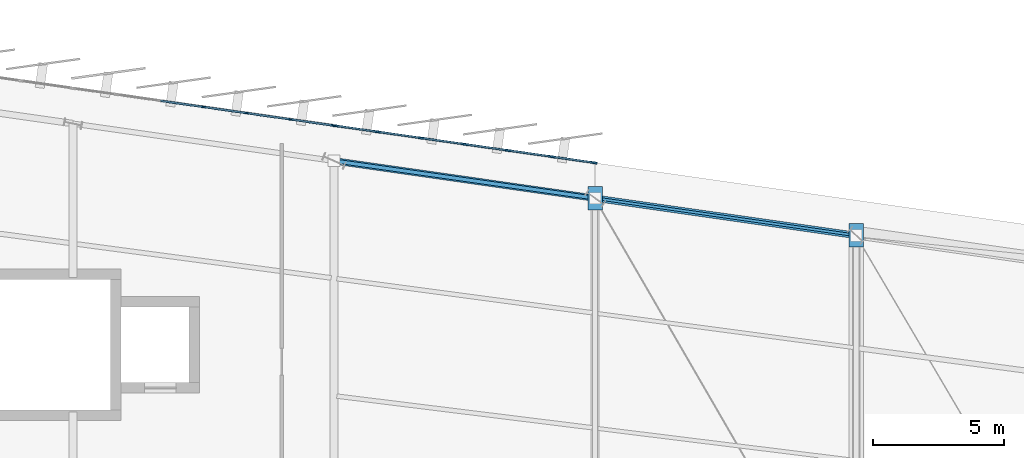
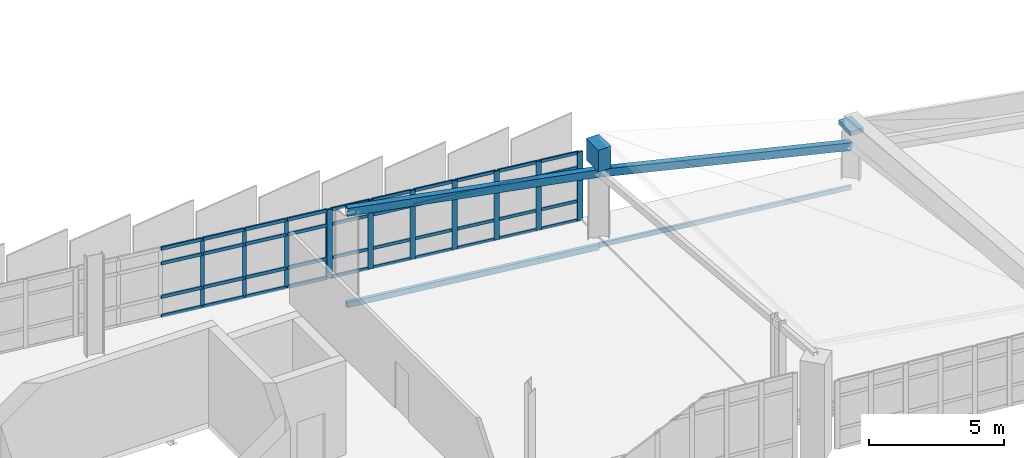
# One storey, part 42 of 67: 53 members, 4 beams, 2 elements without a shape of their own.
"""IFC4 building model written with IfcOpenShell, lengths in metres."""

import ifcopenshell
import ifcopenshell.guid

model = None  # the IFC model being written
_history = None  # IfcOwnerHistory: only IFC2X3 demands one
_inside = {}  # id of a spatial element -> (the spatial element, [elements in it])
_under = {}  # id of a project, library or spatial element -> (it, [spatial elements below it])
_declared = {}  # id of a project -> (the project, [libraries it declares])
_typed = {}  # id of a type object -> (the type object, [elements of that type])
_made_of = {}  # id of a material, layer set ... -> (it, [elements and type objects made of it])


def new_model(schema):
    """Start an empty IFC model of exactly this schema.

    Asked for "IFC4X3", IfcOpenShell would pick the latest addendum, in which some entities
    have other attributes; the version numbers below select the first issue.
    IFC2X3 requires an IfcOwnerHistory on every rooted entity: one is made here for all.
    """
    global model, _history
    if schema == "IFC4X3":
        model = ifcopenshell.file(schema_version=(4, 3, 0, 0))
    else:
        model = ifcopenshell.file(schema=schema)
    _inside.clear()
    _under.clear()
    _declared.clear()
    _typed.clear()
    _made_of.clear()
    _history = None
    if model.schema == "IFC2X3":
        org = make("IfcOrganization", Name="unknown")
        user = make(
            "IfcPersonAndOrganization",
            ThePerson=make("IfcPerson", FamilyName="unknown"),
            TheOrganization=org,
        )
        app = make(
            "IfcApplication",
            ApplicationDeveloper=org,
            Version="unknown",
            ApplicationFullName="unknown",
            ApplicationIdentifier="unknown",
        )
        _history = make(
            "IfcOwnerHistory",
            OwningUser=user,
            OwningApplication=app,
            ChangeAction="ADDED",
            CreationDate=0,
        )
    return model


def make(cls, **values):
    """One entity of the class cls with the attributes given. An attribute that is None is left unset."""
    return model.create_entity(
        cls, **{name: value for name, value in values.items() if value is not None}
    )


def rooted(cls, **values):
    """An entity with a GlobalId (a new one), such as an element, a storey or a relation."""
    return make(cls, GlobalId=ifcopenshell.guid.new(), OwnerHistory=_history, **values)


def si_unit(unit_type, name, prefix=None):
    """IfcSIUnit, for example si_unit("LENGTHUNIT", "METRE", prefix="MILLI")."""
    return make("IfcSIUnit", UnitType=unit_type, Prefix=prefix, Name=name)


def assignment(units):
    """IfcUnitAssignment: the units of a project."""
    return None if units is None else make("IfcUnitAssignment", Units=units)


def point(xyz):
    """IfcCartesianPoint."""
    return None if xyz is None else make("IfcCartesianPoint", Coordinates=xyz)


def direction(xyz):
    """IfcDirection."""
    return None if xyz is None else make("IfcDirection", DirectionRatios=xyz)


def frame(location, z_axis=None, x_axis=None):
    """IfcAxis2Placement3D, a coordinate frame: its origin and axes. An axis left out is left unset."""
    return make(
        "IfcAxis2Placement3D",
        Location=point(location),
        Axis=direction(z_axis),
        RefDirection=direction(x_axis),
    )


def frame_2d(location, x_axis=None):
    """IfcAxis2Placement2D, a coordinate frame in the plane: its origin and x axis."""
    return make(
        "IfcAxis2Placement2D", Location=point(location), RefDirection=direction(x_axis)
    )


def origin():
    """The frame at (0, 0, 0) with its axes left unset."""
    return frame((0.0, 0.0, 0.0))


def origin_2d():
    """The frame at (0, 0) in the plane with its x axis left unset."""
    return frame_2d((0.0, 0.0))


def place(relative_to, where):
    """IfcLocalPlacement: puts the frame where relative to a parent placement (None: the world)."""
    return make(
        "IfcLocalPlacement", PlacementRelTo=relative_to, RelativePlacement=where
    )


def context(
    kind, dimensions, precision=None, world=None, true_north=None, identifier=None
):
    """IfcGeometricRepresentationContext, for example the 3D "Model" context."""
    return make(
        "IfcGeometricRepresentationContext",
        ContextIdentifier=identifier,
        ContextType=kind,
        CoordinateSpaceDimension=dimensions,
        Precision=precision,
        WorldCoordinateSystem=world,
        TrueNorth=true_north,
    )


def subcontext(parent, identifier, kind, view, scale=None):
    """IfcGeometricRepresentationSubContext, for example "Body" below "Model"."""
    return make(
        "IfcGeometricRepresentationSubContext",
        ContextIdentifier=identifier,
        ContextType=kind,
        ParentContext=parent,
        TargetScale=scale,
        TargetView=view,
    )


def project(units=None, contexts=None):
    """IfcProject with its units and contexts."""
    return rooted(
        "IfcProject",
        Name="project",
        RepresentationContexts=contexts,
        UnitsInContext=assignment(units),
    )


def spatial(cls, under=None, at=None, **own):
    """A site, building, storey or space (cls), placed at a placement, below another one or the project."""
    s = rooted(cls, ObjectPlacement=at, **own)
    if under is not None:
        _under.setdefault(under.id(), (under, []))[1].append(s)
    return s


def profile(cls, at=None, kind="AREA", **sizes):
    """A parametric profile (cls). Its sizes go by their IFC names, for example OverallWidth=200.0."""
    return make(cls, ProfileType=kind, Position=at, **sizes)


def rectangle(**sizes):
    """IfcRectangleProfileDef."""
    return profile("IfcRectangleProfileDef", **sizes)


def hollow_rectangle(**sizes):
    """IfcRectangleHollowProfileDef."""
    return profile("IfcRectangleHollowProfileDef", **sizes)


def extrude(swept, where, along, depth):
    """IfcExtrudedAreaSolid: the profile swept, set in the frame where, extruded along a direction by depth."""
    return make(
        "IfcExtrudedAreaSolid",
        SweptArea=swept,
        Position=where,
        ExtrudedDirection=direction(along),
        Depth=depth,
    )


def shape(context_of_items, identifier, shape_type, items):
    """IfcShapeRepresentation: the items that make up one representation, for example the "Body"."""
    return make(
        "IfcShapeRepresentation",
        ContextOfItems=context_of_items,
        RepresentationIdentifier=identifier,
        RepresentationType=shape_type,
        Items=items,
    )


def material(Name=None, Category=None):
    """IfcMaterial."""
    return make("IfcMaterial", Name=Name, Category=Category)


def layer(
    of_material, thickness, ventilated=None, Name=None, Category=None, Priority=None
):
    """IfcMaterialLayer: one layer of a wall or slab, of a material (None: an air gap)."""
    return make(
        "IfcMaterialLayer",
        Material=of_material,
        LayerThickness=thickness,
        IsVentilated=ventilated,
        Name=Name,
        Category=Category,
        Priority=Priority,
    )


def layer_set(layers, Name=None):
    """IfcMaterialLayerSet."""
    return make("IfcMaterialLayerSet", MaterialLayers=layers, LayerSetName=Name)


def material_profile(
    of_material, cross_section, Name=None, Category=None, Priority=None
):
    """IfcMaterialProfile: a cross section and its material."""
    return make(
        "IfcMaterialProfile",
        Name=Name,
        Material=of_material,
        Profile=cross_section,
        Priority=Priority,
        Category=Category,
    )


def profile_set(profiles, Name=None, composite=None):
    """IfcMaterialProfileSet."""
    return make(
        "IfcMaterialProfileSet",
        Name=Name,
        MaterialProfiles=profiles,
        CompositeProfile=composite,
    )


def made_of(thing, what):
    """Note that an element or type object is made of a material, layer set ...; save() writes the relation."""
    if what is not None:
        _made_of.setdefault(what.id(), (what, []))[1].append(thing)
    return thing


def type_object(cls, material=None, **own):
    """A type object (cls), such as IfcWallType, which elements share."""
    return made_of(rooted(cls, **own), material)


def element(
    cls,
    number,
    at=None,
    inside=None,
    cuts=None,
    type_object=None,
    material=None,
    context=None,
    identifier="Body",
    shape_type=None,
    held_by="IfcProductDefinitionShape",
    body=None,
    shapes=None,
    **own,
):
    """One element of the class cls, such as IfcWall. Its Tag is "e" and its number.

    at: its placement. inside: the storey or other place that contains it. cuts: it is an
    opening in that element (IfcRelVoidsElement). A single representation is given by context,
    identifier, shape_type and body (its items); several are given by shapes. held_by: the class
    of the entity that holds the representations. save() writes the other relations.
    """
    e = rooted(cls, Tag="e%d" % number, ObjectPlacement=at, **own)
    if body is not None:
        shapes = [shape(context, identifier, shape_type, body)]
    if shapes is not None:
        e.Representation = make(held_by, Representations=shapes)
    if inside is not None:
        _inside.setdefault(inside.id(), (inside, []))[1].append(e)
    if cuts is not None:
        rooted(
            "IfcRelVoidsElement", RelatingBuildingElement=cuts, RelatedOpeningElement=e
        )
    if type_object is not None:
        _typed.setdefault(type_object.id(), (type_object, []))[1].append(e)
    return made_of(e, material)


def aggregate(whole, parts):
    """IfcRelAggregates: a whole, such as a stair, and the parts it consists of."""
    return rooted("IfcRelAggregates", RelatingObject=whole, RelatedObjects=parts)


def save(model, path):
    """Write the relations noted so far, then the file.

    IfcRelAggregates (storeys below a building ...), IfcRelContainedInSpatialStructure (elements
    in a storey), IfcRelDefinesByType, IfcRelAssociatesMaterial and IfcRelDeclares: one each for
    every whole, place, type object, material and project.
    """
    for whole, parts in _under.values():
        aggregate(whole, parts)
    for where, things in _inside.values():
        rooted(
            "IfcRelContainedInSpatialStructure",
            RelatedElements=things,
            RelatingStructure=where,
        )
    for kind, things in _typed.values():
        rooted("IfcRelDefinesByType", RelatedObjects=things, RelatingType=kind)
    for what, things in _made_of.values():
        rooted("IfcRelAssociatesMaterial", RelatedObjects=things, RelatingMaterial=what)
    for by, libraries in _declared.values():
        rooted("IfcRelDeclares", RelatingContext=by, RelatedDefinitions=libraries)
    model.write(path)


model = new_model("IFC4")

# Units and contexts
model_context = context("Model", 3, precision=1e-05, world=origin(), true_north=direction((0.0, 1.0)))
body_context = subcontext(model_context, "Body", "Model", "MODEL_VIEW")
ifc_project = project(units=[si_unit("LENGTHUNIT", "METRE"), si_unit("AREAUNIT", "SQUARE_METRE"), si_unit("VOLUMEUNIT", "CUBIC_METRE"), si_unit("PLANEANGLEUNIT", "RADIAN"), si_unit("MASSUNIT", "GRAM", prefix="KILO")], contexts=[model_context])

# Site, building, storey
site_placement = place(None, origin())
site = spatial("IfcSite", under=ifc_project, at=site_placement, CompositionType="ELEMENT")
building_placement = place(site_placement, origin())
building = spatial("IfcBuilding", under=site, at=building_placement, Name="Sohan Crest Arena", CompositionType="ELEMENT")
storey_placement = place(building_placement, frame((0.0, 0.0, 22.5)))
storey = spatial("IfcBuildingStorey", under=building, at=storey_placement, Name="L05", CompositionType="ELEMENT", Elevation=22.5)

# Curtain wall, members
ifc_material_1 = material(Name="Thermally broken anodised aluminium", Category="aluminium")
ifc_layer_1 = layer(ifc_material_1, 0.219970703125, Name="Thermally broken anodised aluminium")
ifc_layer_set_1 = layer_set([ifc_layer_1], Name="Thermally broken anodised aluminium")
curtain_wall_type_1 = type_object("IfcCurtainWallType", Name="ARC-CW03", PredefinedType="NOTDEFINED", material=ifc_layer_set_1)
curtain_wall_1_placement = place(storey_placement, origin())
curtain_wall_1 = element("IfcCurtainWall", 1, at=curtain_wall_1_placement, inside=storey, type_object=curtain_wall_type_1, Name="Unitised curtain wall CW-162", PredefinedType="NOTDEFINED")
ifc_material_profile_1 = material_profile(ifc_material_1, rectangle(XDim=0.06005859375, YDim=0.159912109375, at=origin_2d()), Name="ALU-MULL 60x160")
ifc_profile_set_1 = profile_set([ifc_material_profile_1], Name="Thermally broken anodised aluminium")
member_type_1 = type_object("IfcMemberType", Name="ARC-CW-ML01", PredefinedType="MULLION", material=ifc_profile_set_1)
member_1_placement = place(storey_placement, frame((117.97021484375, 124.497314453125, 0.0), z_axis=(0.0, 0.0, 1.0), x_axis=(-0.141365918403, -0.989957411768, 0.0)))
member_1 = element("IfcMember", 2, at=member_1_placement, type_object=member_type_1, Name="CW-162 mullion 1", PredefinedType="MULLION", context=body_context, shape_type="SweptSolid", body=[
    extrude(rectangle(XDim=0.06005859375, YDim=0.159912109375, at=origin_2d()), origin(), (0.0, 0.0, 1.0), 3.1201171875),
])
member_2_placement = place(storey_placement, frame((116.333251953125, 124.73095703125, 0.0), z_axis=(0.0, 0.0, 1.0), x_axis=(-0.141365918403, -0.989957411768, 0.0)))
member_2 = element("IfcMember", 3, at=member_2_placement, type_object=member_type_1, Name="CW-162 mullion 2", PredefinedType="MULLION", context=body_context, shape_type="SweptSolid", body=[
    extrude(rectangle(XDim=0.06005859375, YDim=0.159912109375, at=origin_2d()), origin(), (0.0, 0.0, 1.0), 3.1201171875),
])
member_3_placement = place(storey_placement, frame((114.666748046875, 124.968994140625, 0.0), z_axis=(0.0, 0.0, 1.0), x_axis=(-0.141365918403, -0.989957411768, 0.0)))
member_3 = element("IfcMember", 4, at=member_3_placement, type_object=member_type_1, Name="CW-162 mullion 3", PredefinedType="MULLION", context=body_context, shape_type="SweptSolid", body=[
    extrude(rectangle(XDim=0.06005859375, YDim=0.159912109375, at=origin_2d()), origin(), (0.0, 0.0, 1.0), 3.1201171875),
])
member_4_placement = place(storey_placement, frame((113.0, 125.20703125, 0.0), z_axis=(0.0, 0.0, 1.0), x_axis=(-0.141365918403, -0.989957411768, 0.0)))
member_4 = element("IfcMember", 5, at=member_4_placement, type_object=member_type_1, Name="CW-162 mullion 4", PredefinedType="MULLION", context=body_context, shape_type="SweptSolid", body=[
    extrude(rectangle(XDim=0.06005859375, YDim=0.159912109375, at=origin_2d()), origin(), (0.0, 0.0, 1.0), 3.1201171875),
])

ifc_layer_2 = layer(ifc_material_1, 0.199951171875, Name="Thermally broken anodised aluminium")
ifc_layer_set_2 = layer_set([ifc_layer_2], Name="Thermally broken anodised aluminium")
curtain_wall_type_2 = type_object("IfcCurtainWallType", Name="ARC-CW02", PredefinedType="NOTDEFINED", material=ifc_layer_set_2)
curtain_wall_2_placement = place(storey_placement, origin())
curtain_wall_2 = element("IfcCurtainWall", 6, at=curtain_wall_2_placement, inside=storey, type_object=curtain_wall_type_2, Name="Unitised curtain wall CW-161", PredefinedType="NOTDEFINED")
ifc_material_profile_2 = material_profile(ifc_material_1, rectangle(XDim=0.074951171875, YDim=0.219970703125, at=origin_2d()), Name="ALU-MULL 75x220")
ifc_profile_set_2 = profile_set([ifc_material_profile_2], Name="Thermally broken anodised aluminium")
member_type_2 = type_object("IfcMemberType", Name="ARC-CW-ML04", PredefinedType="MULLION", material=ifc_profile_set_2)
member_5_placement = place(storey_placement, frame((127.962890625, 123.0693359375, 0.0), z_axis=(0.0, 0.0, 1.0), x_axis=(-0.141462933734, -0.989943553128, 0.0)))
member_5 = element("IfcMember", 7, at=member_5_placement, type_object=member_type_2, Name="CW-161 mullion 1", PredefinedType="MULLION", context=body_context, shape_type="SweptSolid", body=[
    extrude(rectangle(XDim=0.074951171875, YDim=0.219970703125, at=origin_2d()), origin(), (0.0, 0.0, 1.0), 3.1201171875),
])
member_6_placement = place(storey_placement, frame((126.333251953125, 123.30224609375, 0.0), z_axis=(0.0, 0.0, 1.0), x_axis=(-0.141462933734, -0.989943553128, 0.0)))
member_6 = element("IfcMember", 8, at=member_6_placement, type_object=member_type_2, Name="CW-161 mullion 2", PredefinedType="MULLION", context=body_context, shape_type="SweptSolid", body=[
    extrude(rectangle(XDim=0.074951171875, YDim=0.219970703125, at=origin_2d()), origin(), (0.0, 0.0, 1.0), 3.1201171875),
])
member_7_placement = place(storey_placement, frame((124.666748046875, 123.540283203125, 0.0), z_axis=(0.0, 0.0, 1.0), x_axis=(-0.141462933734, -0.989943553128, 0.0)))
member_7 = element("IfcMember", 9, at=member_7_placement, type_object=member_type_2, Name="CW-161 mullion 3", PredefinedType="MULLION", context=body_context, shape_type="SweptSolid", body=[
    extrude(rectangle(XDim=0.074951171875, YDim=0.219970703125, at=origin_2d()), origin(), (0.0, 0.0, 1.0), 3.1201171875),
])
member_8_placement = place(storey_placement, frame((123.0, 123.778564453125, 0.0), z_axis=(0.0, 0.0, 1.0), x_axis=(-0.141462933734, -0.989943553128, 0.0)))
member_8 = element("IfcMember", 10, at=member_8_placement, type_object=member_type_2, Name="CW-161 mullion 4", PredefinedType="MULLION", context=body_context, shape_type="SweptSolid", body=[
    extrude(rectangle(XDim=0.074951171875, YDim=0.219970703125, at=origin_2d()), origin(), (0.0, 0.0, 1.0), 3.1201171875),
])
member_9_placement = place(storey_placement, frame((121.333251953125, 124.0166015625, 0.0), z_axis=(0.0, 0.0, 1.0), x_axis=(-0.141462933734, -0.989943553128, 0.0)))
member_9 = element("IfcMember", 11, at=member_9_placement, type_object=member_type_2, Name="CW-161 mullion 5", PredefinedType="MULLION", context=body_context, shape_type="SweptSolid", body=[
    extrude(rectangle(XDim=0.074951171875, YDim=0.219970703125, at=origin_2d()), origin(), (0.0, 0.0, 1.0), 3.1201171875),
])
member_10_placement = place(storey_placement, frame((119.666748046875, 124.2548828125, 0.0), z_axis=(0.0, 0.0, 1.0), x_axis=(-0.141462933734, -0.989943553128, 0.0)))
member_10 = element("IfcMember", 12, at=member_10_placement, type_object=member_type_2, Name="CW-161 mullion 6", PredefinedType="MULLION", context=body_context, shape_type="SweptSolid", body=[
    extrude(rectangle(XDim=0.074951171875, YDim=0.219970703125, at=origin_2d()), origin(), (0.0, 0.0, 1.0), 3.1201171875),
])
member_11_placement = place(storey_placement, frame((118.037109375, 124.48779296875, 0.0), z_axis=(0.0, 0.0, 1.0), x_axis=(-0.141462933734, -0.989943553128, 0.0)))
member_11 = element("IfcMember", 13, at=member_11_placement, type_object=member_type_2, Name="CW-161 mullion 7", PredefinedType="MULLION", context=body_context, shape_type="SweptSolid", body=[
    extrude(rectangle(XDim=0.074951171875, YDim=0.219970703125, at=origin_2d()), origin(), (0.0, 0.0, 1.0), 3.1201171875),
])
ifc_material_profile_3 = material_profile(ifc_material_1, rectangle(XDim=0.06494140625, YDim=0.139892578125, at=origin_2d()), Name="ALU-TRAN 65x140")
ifc_profile_set_3 = profile_set([ifc_material_profile_3], Name="Thermally broken anodised aluminium")
member_type_3 = type_object("IfcMemberType", Name="ARC-CW-TR02", PredefinedType="USERDEFINED", material=ifc_profile_set_3)
member_12_placement = place(storey_placement, frame((127.92578125, 123.07470703125, 0.032470703125), z_axis=(-0.989952601106, 0.141399602418, 0.0), x_axis=(-0.141399602418, -0.989952601106, 0.0)))
member_12 = element("IfcMember", 14, at=member_12_placement, type_object=member_type_3, Name="CW-161 transom 1.1", ObjectType="TRANSOM", PredefinedType="USERDEFINED", context=body_context, shape_type="SweptSolid", body=[
    extrude(rectangle(XDim=0.06494140625, YDim=0.139892578125, at=origin_2d()), origin(), (0.0, 0.0, 1.0), 1.5712890625),
])
member_13_placement = place(storey_placement, frame((127.92578125, 123.07470703125, 0.89990234375), z_axis=(-0.989952601106, 0.141399602418, 0.0), x_axis=(-0.141399602418, -0.989952601106, 0.0)))
member_13 = element("IfcMember", 15, at=member_13_placement, type_object=member_type_3, Name="CW-161 transom 1.2", ObjectType="TRANSOM", PredefinedType="USERDEFINED", context=body_context, shape_type="SweptSolid", body=[
    extrude(rectangle(XDim=0.06494140625, YDim=0.139892578125, at=origin_2d()), origin(), (0.0, 0.0, 1.0), 1.5712890625),
])
member_14_placement = place(storey_placement, frame((127.92578125, 123.07470703125, 2.419921875), z_axis=(-0.989952601106, 0.141399602418, 0.0), x_axis=(-0.141399602418, -0.989952601106, 0.0)))
member_14 = element("IfcMember", 16, at=member_14_placement, type_object=member_type_3, Name="CW-161 transom 1.3", ObjectType="TRANSOM", PredefinedType="USERDEFINED", context=body_context, shape_type="SweptSolid", body=[
    extrude(rectangle(XDim=0.06494140625, YDim=0.139892578125, at=origin_2d()), origin(), (0.0, 0.0, 1.0), 1.5712890625),
])
member_15_placement = place(storey_placement, frame((127.92578125, 123.07470703125, 3.08740234375), z_axis=(-0.989952601106, 0.141399602418, 0.0), x_axis=(-0.141399602418, -0.989952601106, 0.0)))
member_15 = element("IfcMember", 17, at=member_15_placement, type_object=member_type_3, Name="CW-161 transom 1.4", ObjectType="TRANSOM", PredefinedType="USERDEFINED", context=body_context, shape_type="SweptSolid", body=[
    extrude(rectangle(XDim=0.06494140625, YDim=0.139892578125, at=origin_2d()), origin(), (0.0, 0.0, 1.0), 1.5712890625),
])
member_16_placement = place(storey_placement, frame((126.296142578125, 123.307373046875, 0.032470703125), z_axis=(-0.989943421339, 0.141463855978, 0.0), x_axis=(-0.141463855978, -0.989943421339, 0.0)))
member_16 = element("IfcMember", 18, at=member_16_placement, type_object=member_type_3, Name="CW-161 transom 2.1", ObjectType="TRANSOM", PredefinedType="USERDEFINED", context=body_context, shape_type="SweptSolid", body=[
    extrude(rectangle(XDim=0.06494140625, YDim=0.139892578125, at=origin_2d()), origin(), (0.0, 0.0, 1.0), 1.6083984375),
])
member_17_placement = place(storey_placement, frame((126.296142578125, 123.307373046875, 0.89990234375), z_axis=(-0.989943421339, 0.141463855978, 0.0), x_axis=(-0.141463855978, -0.989943421339, 0.0)))
member_17 = element("IfcMember", 19, at=member_17_placement, type_object=member_type_3, Name="CW-161 transom 2.2", ObjectType="TRANSOM", PredefinedType="USERDEFINED", context=body_context, shape_type="SweptSolid", body=[
    extrude(rectangle(XDim=0.06494140625, YDim=0.139892578125, at=origin_2d()), origin(), (0.0, 0.0, 1.0), 1.6083984375),
])
member_18_placement = place(storey_placement, frame((126.296142578125, 123.307373046875, 2.419921875), z_axis=(-0.989943421339, 0.141463855978, 0.0), x_axis=(-0.141463855978, -0.989943421339, 0.0)))
member_18 = element("IfcMember", 20, at=member_18_placement, type_object=member_type_3, Name="CW-161 transom 2.3", ObjectType="TRANSOM", PredefinedType="USERDEFINED", context=body_context, shape_type="SweptSolid", body=[
    extrude(rectangle(XDim=0.06494140625, YDim=0.139892578125, at=origin_2d()), origin(), (0.0, 0.0, 1.0), 1.6083984375),
])
member_19_placement = place(storey_placement, frame((126.296142578125, 123.307373046875, 3.08740234375), z_axis=(-0.989943421339, 0.141463855978, 0.0), x_axis=(-0.141463855978, -0.989943421339, 0.0)))
member_19 = element("IfcMember", 21, at=member_19_placement, type_object=member_type_3, Name="CW-161 transom 2.4", ObjectType="TRANSOM", PredefinedType="USERDEFINED", context=body_context, shape_type="SweptSolid", body=[
    extrude(rectangle(XDim=0.06494140625, YDim=0.139892578125, at=origin_2d()), origin(), (0.0, 0.0, 1.0), 1.6083984375),
])
member_20_placement = place(storey_placement, frame((124.629638671875, 123.545654296875, 0.032470703125), z_axis=(-0.989946458184, 0.141442602948, 0.0), x_axis=(-0.141442602948, -0.989946458184, 0.0)))
member_20 = element("IfcMember", 22, at=member_20_placement, type_object=member_type_3, Name="CW-161 transom 3.1", ObjectType="TRANSOM", PredefinedType="USERDEFINED", context=body_context, shape_type="SweptSolid", body=[
    extrude(rectangle(XDim=0.06494140625, YDim=0.139892578125, at=origin_2d()), origin(), (0.0, 0.0, 1.0), 1.608642578125),
])
member_21_placement = place(storey_placement, frame((124.629638671875, 123.545654296875, 0.89990234375), z_axis=(-0.989946458184, 0.141442602948, 0.0), x_axis=(-0.141442602948, -0.989946458184, 0.0)))
member_21 = element("IfcMember", 23, at=member_21_placement, type_object=member_type_3, Name="CW-161 transom 3.2", ObjectType="TRANSOM", PredefinedType="USERDEFINED", context=body_context, shape_type="SweptSolid", body=[
    extrude(rectangle(XDim=0.06494140625, YDim=0.139892578125, at=origin_2d()), origin(), (0.0, 0.0, 1.0), 1.608642578125),
])
member_22_placement = place(storey_placement, frame((124.629638671875, 123.545654296875, 2.419921875), z_axis=(-0.989946458184, 0.141442602948, 0.0), x_axis=(-0.141442602948, -0.989946458184, 0.0)))
member_22 = element("IfcMember", 24, at=member_22_placement, type_object=member_type_3, Name="CW-161 transom 3.3", ObjectType="TRANSOM", PredefinedType="USERDEFINED", context=body_context, shape_type="SweptSolid", body=[
    extrude(rectangle(XDim=0.06494140625, YDim=0.139892578125, at=origin_2d()), origin(), (0.0, 0.0, 1.0), 1.608642578125),
])
member_23_placement = place(storey_placement, frame((124.629638671875, 123.545654296875, 3.08740234375), z_axis=(-0.989946458184, 0.141442602948, 0.0), x_axis=(-0.141442602948, -0.989946458184, 0.0)))
member_23 = element("IfcMember", 25, at=member_23_placement, type_object=member_type_3, Name="CW-161 transom 3.4", ObjectType="TRANSOM", PredefinedType="USERDEFINED", context=body_context, shape_type="SweptSolid", body=[
    extrude(rectangle(XDim=0.06494140625, YDim=0.139892578125, at=origin_2d()), origin(), (0.0, 0.0, 1.0), 1.608642578125),
])
member_24_placement = place(storey_placement, frame((122.962890625, 123.78369140625, 0.032470703125), z_axis=(-0.989925197599, 0.141591324446, 0.0), x_axis=(-0.141591324446, -0.989925197599, 0.0)))
member_24 = element("IfcMember", 26, at=member_24_placement, type_object=member_type_3, Name="CW-161 transom 4.1", ObjectType="TRANSOM", PredefinedType="USERDEFINED", context=body_context, shape_type="SweptSolid", body=[
    extrude(rectangle(XDim=0.06494140625, YDim=0.139892578125, at=origin_2d()), origin(), (0.0, 0.0, 1.0), 1.608642578125),
])
member_25_placement = place(storey_placement, frame((122.962890625, 123.78369140625, 0.89990234375), z_axis=(-0.989925197599, 0.141591324446, 0.0), x_axis=(-0.141591324446, -0.989925197599, 0.0)))
member_25 = element("IfcMember", 27, at=member_25_placement, type_object=member_type_3, Name="CW-161 transom 4.2", ObjectType="TRANSOM", PredefinedType="USERDEFINED", context=body_context, shape_type="SweptSolid", body=[
    extrude(rectangle(XDim=0.06494140625, YDim=0.139892578125, at=origin_2d()), origin(), (0.0, 0.0, 1.0), 1.608642578125),
])
member_26_placement = place(storey_placement, frame((122.962890625, 123.78369140625, 2.419921875), z_axis=(-0.989925197599, 0.141591324446, 0.0), x_axis=(-0.141591324446, -0.989925197599, 0.0)))
member_26 = element("IfcMember", 28, at=member_26_placement, type_object=member_type_3, Name="CW-161 transom 4.3", ObjectType="TRANSOM", PredefinedType="USERDEFINED", context=body_context, shape_type="SweptSolid", body=[
    extrude(rectangle(XDim=0.06494140625, YDim=0.139892578125, at=origin_2d()), origin(), (0.0, 0.0, 1.0), 1.608642578125),
])
member_27_placement = place(storey_placement, frame((122.962890625, 123.78369140625, 3.08740234375), z_axis=(-0.989925197599, 0.141591324446, 0.0), x_axis=(-0.141591324446, -0.989925197599, 0.0)))
member_27 = element("IfcMember", 29, at=member_27_placement, type_object=member_type_3, Name="CW-161 transom 4.4", ObjectType="TRANSOM", PredefinedType="USERDEFINED", context=body_context, shape_type="SweptSolid", body=[
    extrude(rectangle(XDim=0.06494140625, YDim=0.139892578125, at=origin_2d()), origin(), (0.0, 0.0, 1.0), 1.608642578125),
])
member_28_placement = place(storey_placement, frame((121.296142578125, 124.02197265625, 0.032470703125), z_axis=(-0.989943421339, 0.141463855978, 0.0), x_axis=(-0.141463855978, -0.989943421339, 0.0)))
member_28 = element("IfcMember", 30, at=member_28_placement, type_object=member_type_3, Name="CW-161 transom 5.1", ObjectType="TRANSOM", PredefinedType="USERDEFINED", context=body_context, shape_type="SweptSolid", body=[
    extrude(rectangle(XDim=0.06494140625, YDim=0.139892578125, at=origin_2d()), origin(), (0.0, 0.0, 1.0), 1.6083984375),
])
member_29_placement = place(storey_placement, frame((121.296142578125, 124.02197265625, 0.89990234375), z_axis=(-0.989943421339, 0.141463855978, 0.0), x_axis=(-0.141463855978, -0.989943421339, 0.0)))
member_29 = element("IfcMember", 31, at=member_29_placement, type_object=member_type_3, Name="CW-161 transom 5.2", ObjectType="TRANSOM", PredefinedType="USERDEFINED", context=body_context, shape_type="SweptSolid", body=[
    extrude(rectangle(XDim=0.06494140625, YDim=0.139892578125, at=origin_2d()), origin(), (0.0, 0.0, 1.0), 1.6083984375),
])
member_30_placement = place(storey_placement, frame((121.296142578125, 124.02197265625, 2.419921875), z_axis=(-0.989943421339, 0.141463855978, 0.0), x_axis=(-0.141463855978, -0.989943421339, 0.0)))
member_30 = element("IfcMember", 32, at=member_30_placement, type_object=member_type_3, Name="CW-161 transom 5.3", ObjectType="TRANSOM", PredefinedType="USERDEFINED", context=body_context, shape_type="SweptSolid", body=[
    extrude(rectangle(XDim=0.06494140625, YDim=0.139892578125, at=origin_2d()), origin(), (0.0, 0.0, 1.0), 1.6083984375),
])
member_31_placement = place(storey_placement, frame((121.296142578125, 124.02197265625, 3.08740234375), z_axis=(-0.989943421339, 0.141463855978, 0.0), x_axis=(-0.141463855978, -0.989943421339, 0.0)))
member_31 = element("IfcMember", 33, at=member_31_placement, type_object=member_type_3, Name="CW-161 transom 5.4", ObjectType="TRANSOM", PredefinedType="USERDEFINED", context=body_context, shape_type="SweptSolid", body=[
    extrude(rectangle(XDim=0.06494140625, YDim=0.139892578125, at=origin_2d()), origin(), (0.0, 0.0, 1.0), 1.6083984375),
])
member_32_placement = place(storey_placement, frame((119.629638671875, 124.26025390625, 0.032470703125), z_axis=(-0.989952601106, 0.141399602418, 0.0), x_axis=(-0.141399602418, -0.989952601106, 0.0)))
member_32 = element("IfcMember", 34, at=member_32_placement, type_object=member_type_3, Name="CW-161 transom 6.1", ObjectType="TRANSOM", PredefinedType="USERDEFINED", context=body_context, shape_type="SweptSolid", body=[
    extrude(rectangle(XDim=0.06494140625, YDim=0.139892578125, at=origin_2d()), origin(), (0.0, 0.0, 1.0), 1.5712890625),
])
member_33_placement = place(storey_placement, frame((119.629638671875, 124.26025390625, 0.89990234375), z_axis=(-0.989952601106, 0.141399602418, 0.0), x_axis=(-0.141399602418, -0.989952601106, 0.0)))
member_33 = element("IfcMember", 35, at=member_33_placement, type_object=member_type_3, Name="CW-161 transom 6.2", ObjectType="TRANSOM", PredefinedType="USERDEFINED", context=body_context, shape_type="SweptSolid", body=[
    extrude(rectangle(XDim=0.06494140625, YDim=0.139892578125, at=origin_2d()), origin(), (0.0, 0.0, 1.0), 1.5712890625),
])
member_34_placement = place(storey_placement, frame((119.629638671875, 124.26025390625, 2.419921875), z_axis=(-0.989952601106, 0.141399602418, 0.0), x_axis=(-0.141399602418, -0.989952601106, 0.0)))
member_34 = element("IfcMember", 36, at=member_34_placement, type_object=member_type_3, Name="CW-161 transom 6.3", ObjectType="TRANSOM", PredefinedType="USERDEFINED", context=body_context, shape_type="SweptSolid", body=[
    extrude(rectangle(XDim=0.06494140625, YDim=0.139892578125, at=origin_2d()), origin(), (0.0, 0.0, 1.0), 1.5712890625),
])
member_35_placement = place(storey_placement, frame((119.629638671875, 124.26025390625, 3.08740234375), z_axis=(-0.989952601106, 0.141399602418, 0.0), x_axis=(-0.141399602418, -0.989952601106, 0.0)))
member_35 = element("IfcMember", 37, at=member_35_placement, type_object=member_type_3, Name="CW-161 transom 6.4", ObjectType="TRANSOM", PredefinedType="USERDEFINED", context=body_context, shape_type="SweptSolid", body=[
    extrude(rectangle(XDim=0.06494140625, YDim=0.139892578125, at=origin_2d()), origin(), (0.0, 0.0, 1.0), 1.5712890625),
])
aggregate(curtain_wall_2, [member_5, member_6, member_7, member_8, member_9, member_10, member_11, member_12, member_13, member_14, member_15, member_16, member_17, member_18, member_19, member_20, member_21, member_22, member_23, member_24, member_25, member_26, member_27, member_28, member_29, member_30, member_31, member_32, member_33, member_34, member_35])

# Member
ifc_material_profile_4 = material_profile(ifc_material_1, rectangle(XDim=0.070068359375, YDim=0.14990234375, at=origin_2d()), Name="ALU-TRAN 70x150")
ifc_profile_set_4 = profile_set([ifc_material_profile_4], Name="Thermally broken anodised aluminium")
member_type_4 = type_object("IfcMemberType", Name="ARC-CW-TR03", PredefinedType="USERDEFINED", material=ifc_profile_set_4)
member_36_placement = place(storey_placement, frame((117.940673828125, 124.50146484375, 0.034912109375), z_axis=(-0.989952557349, 0.141399908764, 0.0), x_axis=(-0.141399908764, -0.989952557349, 0.0)))
member_36 = element("IfcMember", 38, at=member_36_placement, type_object=member_type_4, Name="CW-162 transom 1.1", ObjectType="TRANSOM", PredefinedType="USERDEFINED", context=body_context, shape_type="SweptSolid", body=[
    extrude(rectangle(XDim=0.070068359375, YDim=0.14990234375, at=origin_2d()), origin(), (0.0, 0.0, 1.0), 1.59375),
])

member_37_placement = place(storey_placement, frame((117.940673828125, 124.50146484375, 0.89990234375), z_axis=(-0.989952557349, 0.141399908764, 0.0), x_axis=(-0.141399908764, -0.989952557349, 0.0)))
member_37 = element("IfcMember", 39, at=member_37_placement, type_object=member_type_4, Name="CW-162 transom 1.2", ObjectType="TRANSOM", PredefinedType="USERDEFINED", context=body_context, shape_type="SweptSolid", body=[
    extrude(rectangle(XDim=0.070068359375, YDim=0.14990234375, at=origin_2d()), origin(), (0.0, 0.0, 1.0), 1.59375),
])

member_38_placement = place(storey_placement, frame((117.940673828125, 124.50146484375, 2.419921875), z_axis=(-0.989952557349, 0.141399908764, 0.0), x_axis=(-0.141399908764, -0.989952557349, 0.0)))
member_38 = element("IfcMember", 40, at=member_38_placement, type_object=member_type_4, Name="CW-162 transom 1.3", ObjectType="TRANSOM", PredefinedType="USERDEFINED", context=body_context, shape_type="SweptSolid", body=[
    extrude(rectangle(XDim=0.070068359375, YDim=0.14990234375, at=origin_2d()), origin(), (0.0, 0.0, 1.0), 1.59375),
])

member_39_placement = place(storey_placement, frame((117.940673828125, 124.50146484375, 3.0849609375), z_axis=(-0.989952557349, 0.141399908764, 0.0), x_axis=(-0.141399908764, -0.989952557349, 0.0)))
member_39 = element("IfcMember", 41, at=member_39_placement, type_object=member_type_4, Name="CW-162 transom 1.4", ObjectType="TRANSOM", PredefinedType="USERDEFINED", context=body_context, shape_type="SweptSolid", body=[
    extrude(rectangle(XDim=0.070068359375, YDim=0.14990234375, at=origin_2d()), origin(), (0.0, 0.0, 1.0), 1.59375),
])

member_40_placement = place(storey_placement, frame((116.3037109375, 124.7353515625, 0.034912109375), z_axis=(-0.989961518774, 0.141337154868, 0.0), x_axis=(-0.141337154868, -0.989961518774, 0.0)))
member_40 = element("IfcMember", 42, at=member_40_placement, type_object=member_type_4, Name="CW-162 transom 2.1", ObjectType="TRANSOM", PredefinedType="USERDEFINED", context=body_context, shape_type="SweptSolid", body=[
    extrude(rectangle(XDim=0.070068359375, YDim=0.14990234375, at=origin_2d()), origin(), (0.0, 0.0, 1.0), 1.623779296875),
])

member_41_placement = place(storey_placement, frame((116.3037109375, 124.7353515625, 0.89990234375), z_axis=(-0.989961518774, 0.141337154868, 0.0), x_axis=(-0.141337154868, -0.989961518774, 0.0)))
member_41 = element("IfcMember", 43, at=member_41_placement, type_object=member_type_4, Name="CW-162 transom 2.2", ObjectType="TRANSOM", PredefinedType="USERDEFINED", context=body_context, shape_type="SweptSolid", body=[
    extrude(rectangle(XDim=0.070068359375, YDim=0.14990234375, at=origin_2d()), origin(), (0.0, 0.0, 1.0), 1.623779296875),
])

member_42_placement = place(storey_placement, frame((116.3037109375, 124.7353515625, 2.419921875), z_axis=(-0.989961518774, 0.141337154868, 0.0), x_axis=(-0.141337154868, -0.989961518774, 0.0)))
member_42 = element("IfcMember", 44, at=member_42_placement, type_object=member_type_4, Name="CW-162 transom 2.3", ObjectType="TRANSOM", PredefinedType="USERDEFINED", context=body_context, shape_type="SweptSolid", body=[
    extrude(rectangle(XDim=0.070068359375, YDim=0.14990234375, at=origin_2d()), origin(), (0.0, 0.0, 1.0), 1.623779296875),
])

member_43_placement = place(storey_placement, frame((116.3037109375, 124.7353515625, 3.0849609375), z_axis=(-0.989961518774, 0.141337154868, 0.0), x_axis=(-0.141337154868, -0.989961518774, 0.0)))
member_43 = element("IfcMember", 45, at=member_43_placement, type_object=member_type_4, Name="CW-162 transom 2.4", ObjectType="TRANSOM", PredefinedType="USERDEFINED", context=body_context, shape_type="SweptSolid", body=[
    extrude(rectangle(XDim=0.070068359375, YDim=0.14990234375, at=origin_2d()), origin(), (0.0, 0.0, 1.0), 1.623779296875),
])

member_44_placement = place(storey_placement, frame((114.636962890625, 124.97314453125, 0.034912109375), z_axis=(-0.98993745985, 0.141505567328, 0.0), x_axis=(-0.141505567328, -0.98993745985, 0.0)))
member_44 = element("IfcMember", 46, at=member_44_placement, type_object=member_type_4, Name="CW-162 transom 3.1", ObjectType="TRANSOM", PredefinedType="USERDEFINED", context=body_context, shape_type="SweptSolid", body=[
    extrude(rectangle(XDim=0.070068359375, YDim=0.14990234375, at=origin_2d()), origin(), (0.0, 0.0, 1.0), 1.62353515625),
])

member_45_placement = place(storey_placement, frame((114.636962890625, 124.97314453125, 0.89990234375), z_axis=(-0.98993745985, 0.141505567328, 0.0), x_axis=(-0.141505567328, -0.98993745985, 0.0)))
member_45 = element("IfcMember", 47, at=member_45_placement, type_object=member_type_4, Name="CW-162 transom 3.2", ObjectType="TRANSOM", PredefinedType="USERDEFINED", context=body_context, shape_type="SweptSolid", body=[
    extrude(rectangle(XDim=0.070068359375, YDim=0.14990234375, at=origin_2d()), origin(), (0.0, 0.0, 1.0), 1.62353515625),
])

member_46_placement = place(storey_placement, frame((114.636962890625, 124.97314453125, 2.419921875), z_axis=(-0.98993745985, 0.141505567328, 0.0), x_axis=(-0.141505567328, -0.98993745985, 0.0)))
member_46 = element("IfcMember", 48, at=member_46_placement, type_object=member_type_4, Name="CW-162 transom 3.3", ObjectType="TRANSOM", PredefinedType="USERDEFINED", context=body_context, shape_type="SweptSolid", body=[
    extrude(rectangle(XDim=0.070068359375, YDim=0.14990234375, at=origin_2d()), origin(), (0.0, 0.0, 1.0), 1.62353515625),
])

member_47_placement = place(storey_placement, frame((114.636962890625, 124.97314453125, 3.0849609375), z_axis=(-0.98993745985, 0.141505567328, 0.0), x_axis=(-0.141505567328, -0.98993745985, 0.0)))
member_47 = element("IfcMember", 49, at=member_47_placement, type_object=member_type_4, Name="CW-162 transom 3.4", ObjectType="TRANSOM", PredefinedType="USERDEFINED", context=body_context, shape_type="SweptSolid", body=[
    extrude(rectangle(XDim=0.070068359375, YDim=0.14990234375, at=origin_2d()), origin(), (0.0, 0.0, 1.0), 1.62353515625),
])

member_48_placement = place(storey_placement, frame((112.97021484375, 125.211181640625, 0.034912109375), z_axis=(-0.98995851451, 0.141358195904, 0.0), x_axis=(-0.141358195904, -0.98995851451, 0.0)))
member_48 = element("IfcMember", 50, at=member_48_placement, type_object=member_type_4, Name="CW-162 transom 4.1", ObjectType="TRANSOM", PredefinedType="USERDEFINED", context=body_context, shape_type="SweptSolid", body=[
    extrude(rectangle(XDim=0.070068359375, YDim=0.14990234375, at=origin_2d()), origin(), (0.0, 0.0, 1.0), 1.62353515625),
])

member_49_placement = place(storey_placement, frame((112.97021484375, 125.211181640625, 0.89990234375), z_axis=(-0.98995851451, 0.141358195904, 0.0), x_axis=(-0.141358195904, -0.98995851451, 0.0)))
member_49 = element("IfcMember", 51, at=member_49_placement, type_object=member_type_4, Name="CW-162 transom 4.2", ObjectType="TRANSOM", PredefinedType="USERDEFINED", context=body_context, shape_type="SweptSolid", body=[
    extrude(rectangle(XDim=0.070068359375, YDim=0.14990234375, at=origin_2d()), origin(), (0.0, 0.0, 1.0), 1.62353515625),
])

member_50_placement = place(storey_placement, frame((112.97021484375, 125.211181640625, 2.419921875), z_axis=(-0.98995851451, 0.141358195904, 0.0), x_axis=(-0.141358195904, -0.98995851451, 0.0)))
member_50 = element("IfcMember", 52, at=member_50_placement, type_object=member_type_4, Name="CW-162 transom 4.3", ObjectType="TRANSOM", PredefinedType="USERDEFINED", context=body_context, shape_type="SweptSolid", body=[
    extrude(rectangle(XDim=0.070068359375, YDim=0.14990234375, at=origin_2d()), origin(), (0.0, 0.0, 1.0), 1.62353515625),
])

member_51_placement = place(storey_placement, frame((112.97021484375, 125.211181640625, 3.0849609375), z_axis=(-0.98995851451, 0.141358195904, 0.0), x_axis=(-0.141358195904, -0.98995851451, 0.0)))
member_51 = element("IfcMember", 53, at=member_51_placement, type_object=member_type_4, Name="CW-162 transom 4.4", ObjectType="TRANSOM", PredefinedType="USERDEFINED", context=body_context, shape_type="SweptSolid", body=[
    extrude(rectangle(XDim=0.070068359375, YDim=0.14990234375, at=origin_2d()), origin(), (0.0, 0.0, 1.0), 1.62353515625),
])

aggregate(curtain_wall_1, [member_1, member_2, member_3, member_4, member_36, member_37, member_38, member_39, member_40, member_41, member_42, member_43, member_44, member_45, member_46, member_47, member_48, member_49, member_50, member_51])

# Beams
ifc_material_2 = material(Name="Precast concrete C50/60", Category="concrete")
ifc_material_profile_5 = material_profile(ifc_material_2, rectangle(XDim=0.550048828125, YDim=0.89990234375, at=origin_2d()), Name="RAKER 550x900")
ifc_profile_set_5 = profile_set([ifc_material_profile_5], Name="Precast concrete C50/60")
beam_type_1 = type_object("IfcBeamType", Name="STR-BM-RK01", PredefinedType="USERDEFINED", material=ifc_profile_set_5)
beam_1_placement = place(storey_placement, frame((138.0, 120.285888671875, 2.5400390625), z_axis=(0.0, 0.0, -1.0), x_axis=(1.0, 0.0, 0.0)))
element("IfcBeam", 54, at=beam_1_placement, inside=storey, type_object=beam_type_1, Name="Perimeter cantilever nose bracket RKC-31", ObjectType="RAKER", PredefinedType="USERDEFINED", context=body_context, shape_type="SweptSolid", body=[
    extrude(rectangle(XDim=0.550048828125, YDim=0.89990234375, at=origin_2d()), origin(), (0.0, 0.0, 1.0), 0.199951171875),
])
beam_2_placement = place(storey_placement, frame((128.0, 121.714111328125, 3.35693359375), z_axis=(0.0, 0.0, 1.0), x_axis=(1.0, 0.0, 0.0)))
element("IfcBeam", 55, at=beam_2_placement, inside=storey, type_object=beam_type_1, Name="Perimeter cantilever nose bracket RKC-32", ObjectType="RAKER", PredefinedType="USERDEFINED", context=body_context, shape_type="SweptSolid", body=[
    extrude(rectangle(XDim=0.550048828125, YDim=0.89990234375, at=origin_2d()), origin(), (0.0, 0.0, 1.0), 0.983154296875),
])
ifc_material_3 = material(Name="Steel S355", Category="steel")
ifc_material_profile_6 = material_profile(ifc_material_3, hollow_rectangle(XDim=0.10009765625, YDim=0.199951171875, WallThickness=0.008056640625, at=origin_2d()), Name="RHS 200x100x8")
ifc_profile_set_6 = profile_set([ifc_material_profile_6], Name="Steel S355")
beam_type_2 = type_object("IfcBeamType", Name="STR-BM-SP01", PredefinedType="SPANDREL", material=ifc_profile_set_6)
beam_3_placement = place(storey_placement, frame((138.0, 120.285888671875, -0.320068359375), z_axis=(-0.989954326844, 0.141387519825, 0.0), x_axis=(-0.141387519825, -0.989954326844, 0.0)))
element("IfcBeam", 56, at=beam_3_placement, inside=storey, type_object=beam_type_2, Name="Structural beam SP-L05-1848", PredefinedType="SPANDREL", context=body_context, shape_type="SweptSolid", body=[
    extrude(hollow_rectangle(XDim=0.10009765625, YDim=0.199951171875, WallThickness=0.008056640625, at=origin_2d()), origin(), (0.0, 0.0, 1.0), 10.1015625),
])
ifc_material_profile_7 = material_profile(ifc_material_3, hollow_rectangle(XDim=0.14990234375, YDim=0.25, WallThickness=0.010009765625, at=origin_2d()), Name="RHS 250x150x10")
ifc_profile_set_7 = profile_set([ifc_material_profile_7], Name="Steel S355")
beam_type_3 = type_object("IfcBeamType", Name="STR-BM-SP02", PredefinedType="SPANDREL", material=ifc_profile_set_7)
beam_4_placement = place(storey_placement, frame((128.0, 121.714111328125, -0.375), z_axis=(-0.989944175879, 0.141458575718, 0.0), x_axis=(-0.141458575718, -0.989944175879, 0.0)))
element("IfcBeam", 57, at=beam_4_placement, inside=storey, type_object=beam_type_3, Name="Structural beam SP-L05-1853", PredefinedType="SPANDREL", context=body_context, shape_type="SweptSolid", body=[
    extrude(hollow_rectangle(XDim=0.14990234375, YDim=0.25, WallThickness=0.010009765625, at=origin_2d()), origin(), (0.0, 0.0, 1.0), 10.1015625),
])

# Members
ifc_material_profile_8 = material_profile(ifc_material_3, hollow_rectangle(XDim=0.25, YDim=0.35009765625, WallThickness=0.012451171875, at=origin_2d()), Name="RHS 350x250x12.5")
ifc_profile_set_8 = profile_set([ifc_material_profile_8], Name="Steel S355")
member_type_5 = type_object("IfcMemberType", Name="STR-MEM-CH04", PredefinedType="CHORD", material=ifc_profile_set_8)
member_52_placement = place(storey_placement, frame((138.0, 120.285888671875, 1.590087890625), z_axis=(-0.980355941581, 0.140016656696, 0.138915671019), x_axis=(-0.141387519825, -0.989954326844, 0.0)))
element("IfcMember", 58, at=member_52_placement, inside=storey, type_object=member_type_5, Name="Outer roof-edge truss chord ORB-31", PredefinedType="CHORD", context=body_context, shape_type="SweptSolid", body=[
    extrude(hollow_rectangle(XDim=0.25, YDim=0.35009765625, WallThickness=0.012451171875, at=origin_2d()), origin(), (0.0, 0.0, 1.0), 10.200439453125),
])
member_53_placement = place(storey_placement, frame((128.0, 121.714111328125, 3.007080078125), z_axis=(-0.986377130345, 0.140948860935, 0.084814947585), x_axis=(-0.141458575718, -0.989944175879, 0.0)))
element("IfcMember", 59, at=member_53_placement, inside=storey, type_object=member_type_5, Name="Outer roof-edge truss chord ORB-32", PredefinedType="CHORD", context=body_context, shape_type="SweptSolid", body=[
    extrude(hollow_rectangle(XDim=0.25, YDim=0.35009765625, WallThickness=0.012451171875, at=origin_2d()), origin(), (0.0, 0.0, 1.0), 10.13818359375),
])

save(model, "model.ifc")
